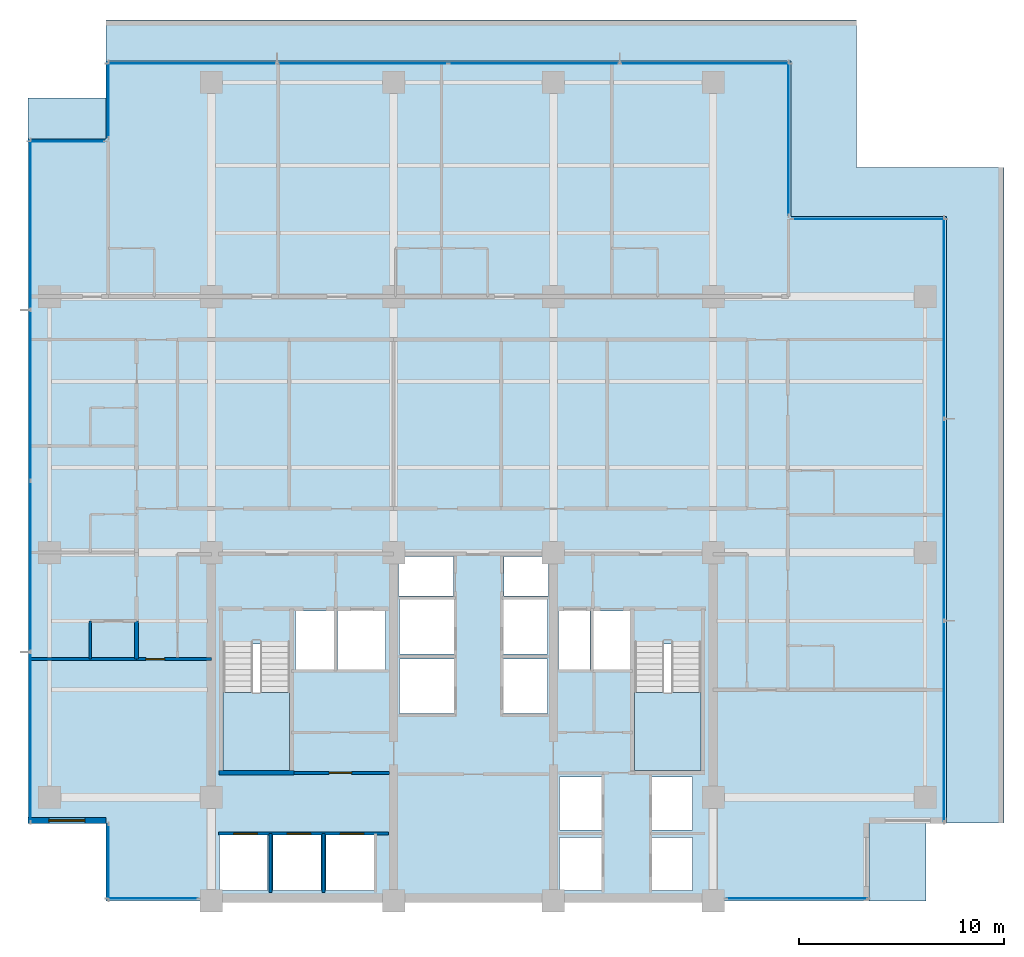
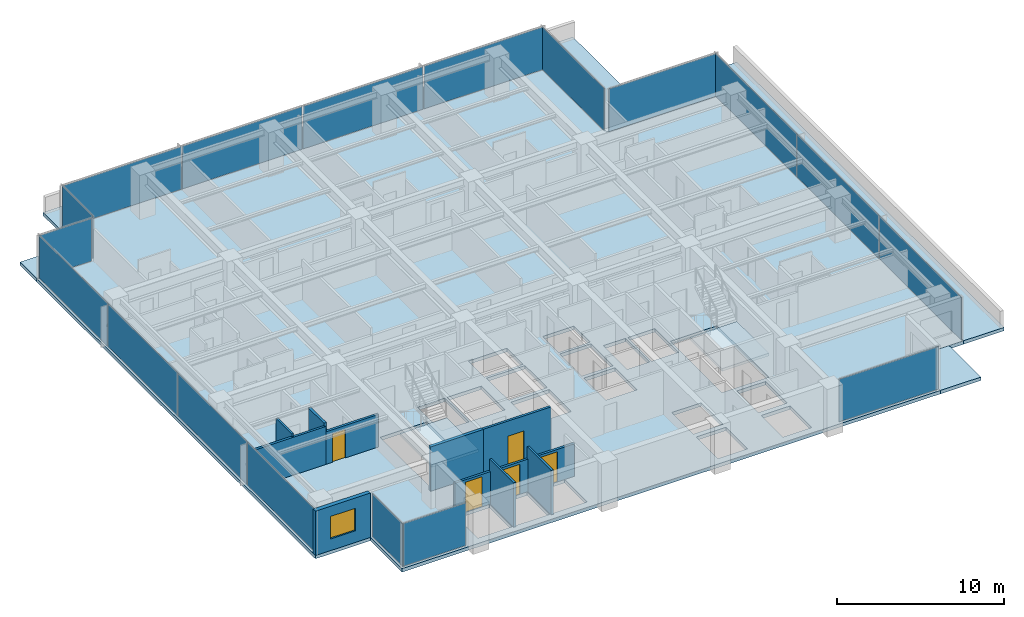
# One storey, part 6 of 16: 18 plates, 10 walls, 6 slabs, 5 doors, 1 window, 6 openings, 12 elements without a shape of their own.
"""IFC4 building model written with IfcOpenShell, lengths in metres."""

from ifc_helpers import new_model, si_unit, direction, frame, frame_2d, origin, origin_2d, place, context, subcontext, project, spatial, polyline, rectangle, outline, extrude, material, layer, layer_set, type_object, element, fill, aggregate, save


model = new_model("IFC4")

# Units and contexts
model_context = context("Model", 3, precision=1e-05, world=origin(), true_north=direction((0.0, 1.0)))
body_context = subcontext(model_context, "Body", "Model", "MODEL_VIEW")
ifc_project = project(units=[si_unit("LENGTHUNIT", "METRE"), si_unit("AREAUNIT", "SQUARE_METRE"), si_unit("VOLUMEUNIT", "CUBIC_METRE"), si_unit("PLANEANGLEUNIT", "RADIAN"), si_unit("MASSUNIT", "GRAM", prefix="KILO")], contexts=[model_context])

# Site, building, storey
site_placement = place(None, origin())
site = spatial("IfcSite", under=ifc_project, at=site_placement, CompositionType="ELEMENT")
building_placement = place(site_placement, origin())
building = spatial("IfcBuilding", under=site, at=building_placement, Name="Qalmaran Belvedere Hotel", CompositionType="ELEMENT")
storey_placement = place(building_placement, frame((0.0, 0.0, 138.60009765625)))
storey = spatial("IfcBuildingStorey", under=building, at=storey_placement, Name="L34", CompositionType="ELEMENT", Elevation=138.60009765625)

# Curtain wall, plate
ifc_material_1 = material(Name="Anodised Bronze Aluminium", Category="aluminium")
ifc_layer_1 = layer(ifc_material_1, 0.195068359375, Name="Anodised Bronze Aluminium")
ifc_layer_set_1 = layer_set([ifc_layer_1], Name="Anodised Bronze Aluminium")
curtain_wall_type = type_object("IfcCurtainWallType", Name="CW4-TOWER-HIGHMID", PredefinedType="NOTDEFINED", material=ifc_layer_set_1)
curtain_wall_1_placement = place(storey_placement, origin())
curtain_wall_1 = element("IfcCurtainWall", 1, at=curtain_wall_1_placement, inside=storey, type_object=curtain_wall_type, Name="L34 Curtain Wall CW4", PredefinedType="NOTDEFINED")
ifc_material_2 = material(Name="Solar-Control Double Glazing", Category="glass")
ifc_layer_2 = layer(ifc_material_2, 0.028076171875, Name="Solar-Control Double Glazing")
ifc_layer_set_2 = layer_set([ifc_layer_2], Name="Solar-Control Double Glazing")
plate_type = type_object("IfcPlateType", Name="CWP-VISION-28", PredefinedType="CURTAIN_PANEL", material=ifc_layer_set_2)
plate_1_placement = place(storey_placement, frame((17.429931640625, 3.6201171875, 0.06494140625), z_axis=(0.0, 0.0, 1.0), x_axis=(1.0, 0.0, 0.0)))
plate_1 = element("IfcPlate", 2, at=plate_1_placement, type_object=plate_type, Name="CW4 panel 1.1", PredefinedType="CURTAIN_PANEL", context=body_context, shape_type="SweptSolid", body=[
    extrude(rectangle(XDim=4.419921875, YDim=0.028076171875, at=origin_2d()), origin(), (0.0, 0.0, 1.0), 3.1201171875),
])
aggregate(curtain_wall_1, [plate_1])

curtain_wall_2_placement = place(storey_placement, origin())
curtain_wall_2 = element("IfcCurtainWall", 3, at=curtain_wall_2_placement, inside=storey, type_object=curtain_wall_type, Name="L34 Curtain Wall CW4", PredefinedType="NOTDEFINED")
plate_2_placement = place(storey_placement, frame((48.89501953125, 3.6201171875, 0.06494140625), z_axis=(0.0, 0.0, 1.0), x_axis=(1.0, 0.0, 0.0)))
plate_2 = element("IfcPlate", 4, at=plate_2_placement, type_object=plate_type, Name="CW4 panel 1.1", PredefinedType="CURTAIN_PANEL", context=body_context, shape_type="SweptSolid", body=[
    extrude(rectangle(XDim=6.8701171875, YDim=0.028076171875, at=origin_2d()), origin(), (0.0, 0.0, 1.0), 3.1201171875),
])
aggregate(curtain_wall_2, [plate_2])

# Curtain wall, plates
curtain_wall_3_placement = place(storey_placement, origin())
curtain_wall_3 = element("IfcCurtainWall", 5, at=curtain_wall_3_placement, inside=storey, type_object=curtain_wall_type, Name="L34 Curtain Wall CW4", PredefinedType="NOTDEFINED")
plate_3_placement = place(storey_placement, frame((56.080078125, 12.250732421875, 0.06494140625), z_axis=(0.0, 0.0, 1.0), x_axis=(0.0, 1.0, 0.0)))
plate_3 = element("IfcPlate", 6, at=plate_3_placement, type_object=plate_type, Name="CW4 panel 1.1", PredefinedType="CURTAIN_PANEL", context=body_context, shape_type="SweptSolid", body=[
    extrude(rectangle(XDim=9.76171875, YDim=0.028076171875, at=origin_2d()), origin(), (0.0, 0.0, 1.0), 3.1201171875),
])
plate_4_placement = place(storey_placement, frame((56.080078125, 22.10009765625, 0.06494140625), z_axis=(0.0, 0.0, 1.0), x_axis=(0.0, 1.0, 0.0)))
plate_4 = element("IfcPlate", 7, at=plate_4_placement, type_object=plate_type, Name="CW4 panel 2.1", PredefinedType="CURTAIN_PANEL", context=body_context, shape_type="SweptSolid", body=[
    extrude(rectangle(XDim=9.796630859375, YDim=0.028076171875, at=origin_2d()), origin(), (0.0, 0.0, 1.0), 3.1201171875),
])
plate_5_placement = place(storey_placement, frame((56.080078125, 31.94921875, 0.06494140625), z_axis=(0.0, 0.0, 1.0), x_axis=(0.0, 1.0, 0.0)))
plate_5 = element("IfcPlate", 8, at=plate_5_placement, type_object=plate_type, Name="CW4 panel 3.1", PredefinedType="CURTAIN_PANEL", context=body_context, shape_type="SweptSolid", body=[
    extrude(rectangle(XDim=9.76171875, YDim=0.028076171875, at=origin_2d()), origin(), (0.0, 0.0, 1.0), 3.1201171875),
])
aggregate(curtain_wall_3, [plate_3, plate_4, plate_5])

# Curtain wall, plate
curtain_wall_4_placement = place(storey_placement, origin())
curtain_wall_4 = element("IfcCurtainWall", 9, at=curtain_wall_4_placement, inside=storey, type_object=curtain_wall_type, Name="L34 Curtain Wall CW4", PredefinedType="NOTDEFINED")
plate_6_placement = place(storey_placement, frame((52.39990234375, 36.780029296875, 0.06494140625), z_axis=(0.0, 0.0, 1.0), x_axis=(-1.0, 0.0, 0.0)))
plate_6 = element("IfcPlate", 10, at=plate_6_placement, type_object=plate_type, Name="CW4 panel 1.1", PredefinedType="CURTAIN_PANEL", context=body_context, shape_type="SweptSolid", body=[
    extrude(rectangle(XDim=7.4599609375, YDim=0.028076171875, at=origin_2d()), origin(), (0.0, 0.0, 1.0), 3.1201171875),
])
aggregate(curtain_wall_4, [plate_6])

curtain_wall_5_placement = place(storey_placement, origin())
curtain_wall_5 = element("IfcCurtainWall", 11, at=curtain_wall_5_placement, inside=storey, type_object=curtain_wall_type, Name="L34 Curtain Wall CW4", PredefinedType="NOTDEFINED")
plate_7_placement = place(storey_placement, frame((48.47998046875, 40.699951171875, 0.06494140625), z_axis=(0.0, 0.0, 1.0), x_axis=(0.0, 1.0, 0.0)))
plate_7 = element("IfcPlate", 12, at=plate_7_placement, type_object=plate_type, Name="CW4 panel 1.1", PredefinedType="CURTAIN_PANEL", context=body_context, shape_type="SweptSolid", body=[
    extrude(rectangle(XDim=7.4599609375, YDim=0.028076171875, at=origin_2d()), origin(), (0.0, 0.0, 1.0), 3.1201171875),
])
aggregate(curtain_wall_5, [plate_7])

# Curtain wall, plates
curtain_wall_6_placement = place(storey_placement, origin())
curtain_wall_6 = element("IfcCurtainWall", 13, at=curtain_wall_6_placement, inside=storey, type_object=curtain_wall_type, Name="L34 Curtain Wall CW4", PredefinedType="NOTDEFINED")
plate_8_placement = place(storey_placement, frame((44.4013671875, 44.3798828125, 0.06494140625), z_axis=(0.0, 0.0, 1.0), x_axis=(-1.0, 0.0, 0.0)))
plate_8 = element("IfcPlate", 14, at=plate_8_placement, type_object=plate_type, Name="CW4 panel 1.1", PredefinedType="CURTAIN_PANEL", context=body_context, shape_type="SweptSolid", body=[
    extrude(rectangle(XDim=8.257568359375, YDim=0.028076171875, at=origin_2d()), origin(), (0.0, 0.0, 1.0), 3.1201171875),
])
plate_9_placement = place(storey_placement, frame((36.05615234375, 44.3798828125, 0.06494140625), z_axis=(0.0, 0.0, 1.0), x_axis=(-1.0, 0.0, 0.0)))
plate_9 = element("IfcPlate", 15, at=plate_9_placement, type_object=plate_type, Name="CW4 panel 2.1", PredefinedType="CURTAIN_PANEL", context=body_context, shape_type="SweptSolid", body=[
    extrude(rectangle(XDim=8.29248046875, YDim=0.028076171875, at=origin_2d()), origin(), (0.0, 0.0, 1.0), 3.1201171875),
])
plate_10_placement = place(storey_placement, frame((27.69384765625, 44.3798828125, 0.06494140625), z_axis=(0.0, 0.0, 1.0), x_axis=(-1.0, 0.0, 0.0)))
plate_10 = element("IfcPlate", 16, at=plate_10_placement, type_object=plate_type, Name="CW4 panel 3.1", PredefinedType="CURTAIN_PANEL", context=body_context, shape_type="SweptSolid", body=[
    extrude(rectangle(XDim=8.29248046875, YDim=0.028076171875, at=origin_2d()), origin(), (0.0, 0.0, 1.0), 3.1201171875),
])
plate_11_placement = place(storey_placement, frame((19.3486328125, 44.3798828125, 0.06494140625), z_axis=(0.0, 0.0, 1.0), x_axis=(-1.0, 0.0, 0.0)))
plate_11 = element("IfcPlate", 17, at=plate_11_placement, type_object=plate_type, Name="CW4 panel 4.1", PredefinedType="CURTAIN_PANEL", context=body_context, shape_type="SweptSolid", body=[
    extrude(rectangle(XDim=8.257568359375, YDim=0.028076171875, at=origin_2d()), origin(), (0.0, 0.0, 1.0), 3.1201171875),
])
aggregate(curtain_wall_6, [plate_8, plate_9, plate_10, plate_11])

# Curtain wall, plate
curtain_wall_7_placement = place(storey_placement, origin())
curtain_wall_7 = element("IfcCurtainWall", 18, at=curtain_wall_7_placement, inside=storey, type_object=curtain_wall_type, Name="L34 Curtain Wall CW4", PredefinedType="NOTDEFINED")
plate_12_placement = place(storey_placement, frame((15.27001953125, 42.60009765625, 0.06494140625), z_axis=(0.0, 0.0, 1.0), x_axis=(0.0, -1.0, 0.0)))
plate_12 = element("IfcPlate", 19, at=plate_12_placement, type_object=plate_type, Name="CW4 panel 1.1", PredefinedType="CURTAIN_PANEL", context=body_context, shape_type="SweptSolid", body=[
    extrude(rectangle(XDim=3.659912109375, YDim=0.028076171875, at=origin_2d()), origin(), (0.0, 0.0, 1.0), 3.1201171875),
])
aggregate(curtain_wall_7, [plate_12])

curtain_wall_8_placement = place(storey_placement, origin())
curtain_wall_8 = element("IfcCurtainWall", 20, at=curtain_wall_8_placement, inside=storey, type_object=curtain_wall_type, Name="L34 Curtain Wall CW4", PredefinedType="NOTDEFINED")
plate_13_placement = place(storey_placement, frame((13.25, 40.580078125, 0.06494140625), z_axis=(0.0, 0.0, 1.0), x_axis=(-1.0, 0.0, 0.0)))
plate_13 = element("IfcPlate", 21, at=plate_13_placement, type_object=plate_type, Name="CW4 panel 1.1", PredefinedType="CURTAIN_PANEL", context=body_context, shape_type="SweptSolid", body=[
    extrude(rectangle(XDim=3.659912109375, YDim=0.028076171875, at=origin_2d()), origin(), (0.0, 0.0, 1.0), 3.1201171875),
])
aggregate(curtain_wall_8, [plate_13])

# Curtain wall, plates
curtain_wall_9_placement = place(storey_placement, origin())
curtain_wall_9 = element("IfcCurtainWall", 22, at=curtain_wall_9_placement, inside=storey, type_object=curtain_wall_type, Name="L34 Curtain Wall CW4", PredefinedType="NOTDEFINED")
plate_14_placement = place(storey_placement, frame((11.469970703125, 36.507568359375, 0.06494140625), z_axis=(0.0, 0.0, 1.0), x_axis=(0.0, -1.0, 0.0)))
plate_14 = element("IfcPlate", 23, at=plate_14_placement, type_object=plate_type, Name="CW4 panel 1.1", PredefinedType="CURTAIN_PANEL", context=body_context, shape_type="SweptSolid", body=[
    extrude(rectangle(XDim=8.2451171875, YDim=0.028076171875, at=origin_2d()), origin(), (0.0, 0.0, 1.0), 3.1201171875),
])
plate_15_placement = place(storey_placement, frame((11.469970703125, 28.175048828125, 0.06494140625), z_axis=(0.0, 0.0, 1.0), x_axis=(0.0, -1.0, 0.0)))
plate_15 = element("IfcPlate", 24, at=plate_15_placement, type_object=plate_type, Name="CW4 panel 2.1", PredefinedType="CURTAIN_PANEL", context=body_context, shape_type="SweptSolid", body=[
    extrude(rectangle(XDim=8.280029296875, YDim=0.028076171875, at=origin_2d()), origin(), (0.0, 0.0, 1.0), 3.1201171875),
])
plate_16_placement = place(storey_placement, frame((11.469970703125, 19.824951171875, 0.06494140625), z_axis=(0.0, 0.0, 1.0), x_axis=(0.0, -1.0, 0.0)))
plate_16 = element("IfcPlate", 25, at=plate_16_placement, type_object=plate_type, Name="CW4 panel 3.1", PredefinedType="CURTAIN_PANEL", context=body_context, shape_type="SweptSolid", body=[
    extrude(rectangle(XDim=8.280029296875, YDim=0.028076171875, at=origin_2d()), origin(), (0.0, 0.0, 1.0), 3.1201171875),
])
plate_17_placement = place(storey_placement, frame((11.469970703125, 11.492431640625, 0.06494140625), z_axis=(0.0, 0.0, 1.0), x_axis=(0.0, -1.0, 0.0)))
plate_17 = element("IfcPlate", 26, at=plate_17_placement, type_object=plate_type, Name="CW4 panel 4.1", PredefinedType="CURTAIN_PANEL", context=body_context, shape_type="SweptSolid", body=[
    extrude(rectangle(XDim=8.2451171875, YDim=0.028076171875, at=origin_2d()), origin(), (0.0, 0.0, 1.0), 3.1201171875),
])
aggregate(curtain_wall_9, [plate_14, plate_15, plate_16, plate_17])

# Curtain wall, plate
curtain_wall_10_placement = place(storey_placement, origin())
curtain_wall_10 = element("IfcCurtainWall", 27, at=curtain_wall_10_placement, inside=storey, type_object=curtain_wall_type, Name="L34 Curtain Wall CW4", PredefinedType="NOTDEFINED")
plate_18_placement = place(storey_placement, frame((15.27001953125, 5.39990234375, 0.06494140625), z_axis=(0.0, 0.0, 1.0), x_axis=(0.0, -1.0, 0.0)))
plate_18 = element("IfcPlate", 28, at=plate_18_placement, type_object=plate_type, Name="CW4 panel 1.1", PredefinedType="CURTAIN_PANEL", context=body_context, shape_type="SweptSolid", body=[
    extrude(rectangle(XDim=3.659912109375, YDim=0.028076171875, at=origin_2d()), origin(), (0.0, 0.0, 1.0), 3.1201171875),
])
aggregate(curtain_wall_10, [plate_18])

# Slabs
ifc_material_3 = material(Name="Concrete C40/50", Category="concrete")
ifc_layer_3 = layer(ifc_material_3, 0.25, Name="Concrete C40/50")
ifc_layer_set_3 = layer_set([ifc_layer_3], Name="Concrete C40/50")
slab_type_1 = type_object("IfcSlabType", Name="SLB-SROOF-250", PredefinedType="ROOF", material=ifc_layer_set_3)
slab_1_placement = place(storey_placement, frame((0.0, 0.0, -0.25)))
element("IfcSlab", 29, at=slab_1_placement, inside=storey, type_object=slab_type_1, Name="L34 Stepped Roof Cap 1", PredefinedType="ROOF", context=body_context, shape_type="SweptSolid", body=[
    extrude(outline(polyline([(55.199951171875, 3.5), (52.39990234375, 3.5), (52.39990234375, 7.300048828125), (55.199951171875, 7.300048828125), (55.199951171875, 3.5)])), origin(), (0.0, 0.0, 1.0), 0.25),
])
slab_2_placement = place(storey_placement, frame((0.0, 0.0, -0.25)))
element("IfcSlab", 30, at=slab_2_placement, inside=storey, type_object=slab_type_1, Name="L34 Stepped Roof Cap 2", PredefinedType="ROOF", context=body_context, shape_type="SweptSolid", body=[
    extrude(outline(polyline([(15.14990234375, 46.5), (51.800048828125, 46.5), (51.800048828125, 39.300048828125), (59.0, 39.300048828125), (59.0, 7.300048828125), (56.199951171875, 7.300048828125), (56.199951171875, 36.89990234375), (48.60009765625, 36.89990234375), (48.60009765625, 44.5), (15.14990234375, 44.5), (15.14990234375, 46.5)])), origin(), (0.0, 0.0, 1.0), 0.25),
])
slab_3_placement = place(storey_placement, frame((0.0, 0.0, -0.25)))
element("IfcSlab", 31, at=slab_3_placement, inside=storey, type_object=slab_type_1, Name="L34 Stepped Roof Cap 3", PredefinedType="ROOF", context=body_context, shape_type="SweptSolid", body=[
    extrude(outline(polyline([(11.35009765625, 42.699951171875), (15.14990234375, 42.699951171875), (15.14990234375, 40.699951171875), (11.35009765625, 40.699951171875), (11.35009765625, 42.699951171875)])), origin(), (0.0, 0.0, 1.0), 0.25),
])

# Stair, slab
stair_type_1 = type_object("IfcStairType", Name="STR-ST-1-1450-R1750", PredefinedType="HALF_TURN_STAIR", material=ifc_material_3)
stair_1_placement = place(storey_placement, origin())
stair_1 = element("IfcStair", 32, at=stair_1_placement, inside=storey, type_object=stair_type_1, Name="L34 West Core Exit Stair ST-1", PredefinedType="HALF_TURN_STAIR")
ifc_layer_4 = layer(ifc_material_3, 0.199951171875, Name="Concrete C40/50")
ifc_layer_set_4 = layer_set([ifc_layer_4], Name="Concrete C40/50")
slab_type_2 = type_object("IfcSlabType", Name="SLB-STAIR-LANDING-200", PredefinedType="LANDING", material=ifc_layer_set_4)
slab_4_placement = place(storey_placement, frame((0.0, 0.0, 1.5498046875)))
slab_4 = element("IfcSlab", 33, at=slab_4_placement, type_object=slab_type_2, Name="ST-1 landing 1", PredefinedType="LANDING", context=body_context, shape_type="SweptSolid", body=[
    extrude(outline(polyline([(20.8798828125, 13.669921875), (20.8798828125, 9.85009765625), (24.1201171875, 9.85009765625), (24.1201171875, 13.669921875), (20.8798828125, 13.669921875)])), origin(), (0.0, 0.0, 1.0), 0.2001953125),
])
aggregate(stair_1, [slab_4])

stair_type_2 = type_object("IfcStairType", Name="STR-ST-2-1450-R1750", PredefinedType="HALF_TURN_STAIR", material=ifc_material_3)
stair_2_placement = place(storey_placement, origin())
stair_2 = element("IfcStair", 34, at=stair_2_placement, inside=storey, type_object=stair_type_2, Name="L34 East Core Exit Stair ST-2", PredefinedType="HALF_TURN_STAIR")
slab_5_placement = place(storey_placement, frame((0.0, 0.0, 1.5498046875)))
slab_5 = element("IfcSlab", 35, at=slab_5_placement, type_object=slab_type_2, Name="ST-2 landing 1", PredefinedType="LANDING", context=body_context, shape_type="SweptSolid", body=[
    extrude(outline(polyline([(40.9599609375, 13.669921875), (40.9599609375, 9.85009765625), (44.199951171875, 9.85009765625), (44.199951171875, 13.669921875), (40.9599609375, 13.669921875)])), origin(), (0.0, 0.0, 1.0), 0.2001953125),
])
aggregate(stair_2, [slab_5])

# Slab
ifc_layer_5 = layer(ifc_material_3, 0.25, Name="Concrete C40/50")
ifc_layer_set_5 = layer_set([ifc_layer_5], Name="Concrete C40/50")
slab_type_3 = type_object("IfcSlabType", Name="SLB-Z3-250", PredefinedType="FLOOR", material=ifc_layer_set_5)
slab_6_placement = place(storey_placement, frame((0.0, 0.0, -0.25)))
element("IfcSlab", 36, at=slab_6_placement, inside=storey, type_object=slab_type_3, Name="L34 Structural Floor Slab", PredefinedType="FLOOR", context=body_context, shape_type="SweptSolid", body=[
    extrude(outline(polyline([(15.14990234375, 3.5), (52.39990234375, 3.5), (52.39990234375, 7.300048828125), (56.199951171875, 7.300048828125), (56.199951171875, 36.89990234375), (48.60009765625, 36.89990234375), (48.60009765625, 44.5), (15.14990234375, 44.5), (15.14990234375, 40.699951171875), (11.35009765625, 40.699951171875), (11.35009765625, 7.300048828125), (15.14990234375, 7.300048828125), (15.14990234375, 3.5)]), holes=[polyline([(20.8798828125, 9.85009765625), (24.1201171875, 9.85009765625), (24.1201171875, 16.0400390625), (20.8798828125, 16.0400390625), (20.8798828125, 9.85009765625)]), polyline([(40.9599609375, 9.85009765625), (44.199951171875, 9.85009765625), (44.199951171875, 16.0400390625), (40.9599609375, 16.0400390625), (40.9599609375, 9.85009765625)]), polyline([(29.4951171875, 12.64990234375), (32.14990234375, 12.64990234375), (32.14990234375, 15.300048828125), (29.4951171875, 15.300048828125), (29.4951171875, 12.64990234375)]), polyline([(29.4951171875, 15.550048828125), (32.14990234375, 15.550048828125), (32.14990234375, 18.199951171875), (29.4951171875, 18.199951171875), (29.4951171875, 15.550048828125)]), polyline([(34.550048828125, 12.64990234375), (36.705078125, 12.64990234375), (36.705078125, 15.300048828125), (34.550048828125, 15.300048828125), (34.550048828125, 12.64990234375)]), polyline([(34.550048828125, 15.550048828125), (36.705078125, 15.550048828125), (36.705078125, 18.199951171875), (34.550048828125, 18.199951171875), (34.550048828125, 15.550048828125)]), polyline([(37.300048828125, 4.0), (39.35009765625, 4.0), (39.35009765625, 6.60009765625), (37.300048828125, 6.60009765625), (37.300048828125, 4.0)]), polyline([(37.300048828125, 6.949951171875), (39.35009765625, 6.949951171875), (39.35009765625, 9.550048828125), (37.300048828125, 9.550048828125), (37.300048828125, 6.949951171875)]), polyline([(41.800048828125, 4.0), (43.800048828125, 4.0), (43.800048828125, 6.60009765625), (41.800048828125, 6.60009765625), (41.800048828125, 4.0)]), polyline([(41.800048828125, 6.949951171875), (43.800048828125, 6.949951171875), (43.800048828125, 9.550048828125), (41.800048828125, 9.550048828125), (41.800048828125, 6.949951171875)]), polyline([(20.699951171875, 4.0), (23.050048828125, 4.0), (23.050048828125, 6.699951171875), (20.699951171875, 6.699951171875), (20.699951171875, 4.0)]), polyline([(23.300048828125, 4.0), (25.64990234375, 4.0), (25.64990234375, 6.699951171875), (23.300048828125, 6.699951171875), (23.300048828125, 4.0)]), polyline([(25.89990234375, 4.0), (28.25, 4.0), (28.25, 6.699951171875), (25.89990234375, 6.699951171875), (25.89990234375, 4.0)]), polyline([(24.39990234375, 14.800048828125), (26.300048828125, 14.800048828125), (26.300048828125, 17.64990234375), (24.39990234375, 17.64990234375), (24.39990234375, 14.800048828125)]), polyline([(38.949951171875, 14.800048828125), (40.820068359375, 14.800048828125), (40.820068359375, 17.64990234375), (38.949951171875, 17.64990234375), (38.949951171875, 14.800048828125)]), polyline([(26.449951171875, 14.800048828125), (28.800048828125, 14.800048828125), (28.800048828125, 17.64990234375), (26.449951171875, 17.64990234375), (26.449951171875, 14.800048828125)]), polyline([(37.25, 14.800048828125), (38.800048828125, 14.800048828125), (38.800048828125, 17.64990234375), (37.25, 17.64990234375), (37.25, 14.800048828125)]), polyline([(29.445068359375, 18.3798828125), (32.1201171875, 18.3798828125), (32.1201171875, 20.300048828125), (29.445068359375, 20.300048828125), (29.445068359375, 18.3798828125)]), polyline([(34.580078125, 18.3798828125), (36.7548828125, 18.3798828125), (36.7548828125, 20.300048828125), (34.580078125, 20.300048828125), (34.580078125, 18.3798828125)])]), origin(), (0.0, 0.0, 1.0), 0.25),
])

# Wall, opening, window
ifc_material_4 = material(Name="Anodised Bronze Cladding")
ifc_layer_6 = layer(ifc_material_4, 0.280029296875, Name="Anodised Bronze Cladding")
ifc_layer_set_6 = layer_set([ifc_layer_6], Name="Anodised Bronze Cladding")
wall_type_1 = type_object("IfcWallType", Name="WL-EXT-BRNZ-280", PredefinedType="SOLIDWALL", material=ifc_layer_set_6)
wall_1_placement = place(storey_placement, frame((11.35009765625, 7.419921875, 0.0), z_axis=(0.0, 0.0, 1.0), x_axis=(1.0, 0.0, 0.0)))
wall_1 = element("IfcWall", 37, at=wall_1_placement, inside=storey, type_object=wall_type_1, Name="L34 Corner Notch Wall 10", PredefinedType="SOLIDWALL", context=body_context, shape_type="SweptSolid", body=[
    extrude(rectangle(XDim=3.7998046875, YDim=0.280029296875, at=frame_2d((1.89990234375, 0.0))), origin(), (0.0, 0.0, 1.0), 3.25),
])
opening_1_placement = place(wall_1_placement, frame((1.02490234375, 0.0, 0.85009765625)))
opening_1 = element("IfcOpeningElement", 38, at=opening_1_placement, cuts=wall_1, Name="Opening W-N17", PredefinedType="OPENING", context=body_context, shape_type="SweptSolid", body=[
    extrude(rectangle(XDim=1.75, YDim=1.64990234375, at=frame_2d((0.875, 0.824951171875))), frame((0.0, 0.14990234375, 0.0), z_axis=(0.0, -1.0, 0.0), x_axis=(1.0, 0.0, 0.0)), (0.0, 0.0, 1.0), 0.300048828125),
])
window_type = type_object("IfcWindowType", Name="WN-NTC-1750X1650", PartitioningType="SINGLE_PANEL", PredefinedType="WINDOW", material=ifc_material_2)
window_placement = place(opening_1_placement, origin())
window = element("IfcWindow", 39, at=window_placement, inside=storey, type_object=window_type, Name="L34 Corner Notch Window 10", OverallHeight=1.64990234375, OverallWidth=1.75, PartitioningType="SINGLE_PANEL", PredefinedType="WINDOW", context=body_context, shape_type="SweptSolid", body=[
    extrude(rectangle(XDim=1.75, YDim=1.64990234375, at=frame_2d((0.875, 0.824951171875))), frame((0.0, 0.030029296875, 0.0), z_axis=(0.0, -1.0, 0.0), x_axis=(1.0, 0.0, 0.0)), (0.0, 0.0, 1.0), 0.06005859375),
])
fill(opening_1, window)

# Walls
ifc_material_5 = material(Name="Moisture-Resistant Gypsum")
ifc_layer_7 = layer(ifc_material_5, 0.1201171875, Name="Moisture-Resistant Gypsum")
ifc_layer_set_7 = layer_set([ifc_layer_7], Name="Moisture-Resistant Gypsum")
wall_type_2 = type_object("IfcWallType", Name="WL-INT-120-BATH", PredefinedType="PARTITIONING", material=ifc_layer_set_7)
wall_2_placement = place(storey_placement, frame((14.39990234375, 15.300048828125, 0.0), z_axis=(0.0, 0.0, 1.0), x_axis=(0.0, 1.0, 0.0)))
element("IfcWall", 40, at=wall_2_placement, inside=storey, type_object=wall_type_2, Name="L34 Partition WL-L34-WBS00", PredefinedType="PARTITIONING", context=body_context, shape_type="SweptSolid", body=[
    extrude(rectangle(XDim=1.869873046875, YDim=0.1201171875, at=frame_2d((0.93505859375, 0.0))), origin(), (0.0, 0.0, 1.0), 2.98779296875),
])
ifc_material_6 = material(Name="Gypsum Stud Partition")
ifc_layer_8 = layer(ifc_material_6, 0.14990234375, Name="Gypsum Stud Partition")
ifc_layer_set_8 = layer_set([ifc_layer_8], Name="Gypsum Stud Partition")
wall_type_3 = type_object("IfcWallType", Name="WL-INT-150-EI120", PredefinedType="PARTITIONING", material=ifc_layer_set_8)
for number, where, z_axis, x_axis, name in (
    (41, (23.179931640625, 3.89990234375, 0.0), (0.0, 0.0, 1.0), (0.0, 1.0, 0.0), "L34 Partition WL-POM1-L34"),
    (42, (25.780029296875, 3.89990234375, 0.0), (0.0, 0.0, 1.0), (0.0, 1.0, 0.0), "L34 Partition WL-POM2-L34"),
):
    element("IfcWall", number, at=place(storey_placement, frame(where, z_axis=z_axis, x_axis=x_axis)), inside=storey, type_object=wall_type_3, Name=name, PredefinedType="PARTITIONING", context=body_context, shape_type="SweptSolid", body=[
        extrude(rectangle(XDim=2.880126953125, YDim=0.14990234375, at=frame_2d((1.43994140625, 0.0))), origin(), (0.0, 0.0, 1.0), 3.25),
    ])

# Wall, openings, doors
ifc_layer_9 = layer(ifc_material_6, 0.159912109375, Name="Gypsum Stud Partition")
ifc_layer_set_9 = layer_set([ifc_layer_9], Name="Gypsum Stud Partition")
wall_type_4 = type_object("IfcWallType", Name="WL-INT-160-EI120", PredefinedType="PARTITIONING", material=ifc_layer_set_9)
wall_3_placement = place(storey_placement, frame((20.64990234375, 6.780029296875, 0.0), z_axis=(0.0, 0.0, 1.0), x_axis=(1.0, 0.0, 0.0)))
wall_3 = element("IfcWall", 43, at=wall_3_placement, inside=storey, type_object=wall_type_4, Name="L34 Partition WL-POS-L34", PredefinedType="PARTITIONING", context=body_context, shape_type="SweptSolid", body=[
    extrude(rectangle(XDim=8.300048828125, YDim=0.159912109375, at=frame_2d((4.14990234375, 0.0))), origin(), (0.0, 0.0, 1.0), 2.3798828125),
])
opening_2_placement = place(wall_3_placement, frame((0.75, 0.0, 0.0)))
opening_2 = element("IfcOpeningElement", 44, at=opening_2_placement, cuts=wall_3, Name="Opening LD-PO", PredefinedType="OPENING", context=body_context, shape_type="SweptSolid", body=[
    extrude(rectangle(XDim=1.14990234375, YDim=2.199951171875, at=frame_2d((0.574951171875, 1.10009765625))), frame((0.0, 0.08984375, 0.0), z_axis=(0.0, -1.0, 0.0), x_axis=(1.0, 0.0, 0.0)), (0.0, 0.0, 1.0), 0.179931640625),
])
opening_3_placement = place(wall_3_placement, frame((3.35009765625, 0.0, 0.0)))
opening_3 = element("IfcOpeningElement", 45, at=opening_3_placement, cuts=wall_3, Name="Opening LD-PO", PredefinedType="OPENING", context=body_context, shape_type="SweptSolid", body=[
    extrude(rectangle(XDim=1.14990234375, YDim=2.199951171875, at=frame_2d((0.574951171875, 1.10009765625))), frame((0.0, 0.08984375, 0.0), z_axis=(0.0, -1.0, 0.0), x_axis=(1.0, 0.0, 0.0)), (0.0, 0.0, 1.0), 0.179931640625),
])
opening_4_placement = place(wall_3_placement, frame((5.949951171875, 0.0, 0.0)))
opening_4 = element("IfcOpeningElement", 46, at=opening_4_placement, cuts=wall_3, Name="Opening LD-PO", PredefinedType="OPENING", context=body_context, shape_type="SweptSolid", body=[
    extrude(rectangle(XDim=1.14990234375, YDim=2.199951171875, at=frame_2d((0.574951171875, 1.10009765625))), frame((0.0, 0.08984375, 0.0), z_axis=(0.0, -1.0, 0.0), x_axis=(1.0, 0.0, 0.0)), (0.0, 0.0, 1.0), 0.179931640625),
])
door_type_1 = type_object("IfcDoorType", Name="DR-LIFT-PO-1150X2200", OperationType="DOUBLE_DOOR_SLIDING", PredefinedType="DOOR", material=ifc_material_1)
door_1_placement = place(opening_2_placement, origin())
door_1 = element("IfcDoor", 47, at=door_1_placement, inside=storey, type_object=door_type_1, Name="L34 PO1 Shuttle Landing Door", OperationType="DOUBLE_DOOR_SLIDING", OverallHeight=2.199951171875, OverallWidth=1.14990234375, PredefinedType="DOOR", context=body_context, shape_type="SweptSolid", body=[
    extrude(rectangle(XDim=1.14990234375, YDim=2.199951171875, at=frame_2d((0.574951171875, 1.10009765625))), frame((0.0, 0.02490234375, 0.0), z_axis=(0.0, -1.0, 0.0), x_axis=(1.0, 0.0, 0.0)), (0.0, 0.0, 1.0), 0.050048828125),
])
fill(opening_2, door_1)
door_2_placement = place(opening_3_placement, origin())
door_2 = element("IfcDoor", 48, at=door_2_placement, inside=storey, type_object=door_type_1, Name="L34 PO2 Shuttle Landing Door", OperationType="DOUBLE_DOOR_SLIDING", OverallHeight=2.199951171875, OverallWidth=1.14990234375, PredefinedType="DOOR", context=body_context, shape_type="SweptSolid", body=[
    extrude(rectangle(XDim=1.14990234375, YDim=2.199951171875, at=frame_2d((0.574951171875, 1.10009765625))), frame((0.0, 0.02490234375, 0.0), z_axis=(0.0, -1.0, 0.0), x_axis=(1.0, 0.0, 0.0)), (0.0, 0.0, 1.0), 0.050048828125),
])
fill(opening_3, door_2)
door_3_placement = place(opening_4_placement, origin())
door_3 = element("IfcDoor", 49, at=door_3_placement, inside=storey, type_object=door_type_1, Name="L34 PO3 Shuttle Landing Door", OperationType="DOUBLE_DOOR_SLIDING", OverallHeight=2.199951171875, OverallWidth=1.14990234375, PredefinedType="DOOR", context=body_context, shape_type="SweptSolid", body=[
    extrude(rectangle(XDim=1.14990234375, YDim=2.199951171875, at=frame_2d((0.574951171875, 1.10009765625))), frame((0.0, 0.02490234375, 0.0), z_axis=(0.0, -1.0, 0.0), x_axis=(1.0, 0.0, 0.0)), (0.0, 0.0, 1.0), 0.050048828125),
])
fill(opening_4, door_3)

# Wall, opening, door
wall_4_placement = place(storey_placement, frame((24.199951171875, 9.739990234375, 0.0), z_axis=(0.0, 0.0, 1.0), x_axis=(1.0, 0.0, 0.0)))
wall_4 = element("IfcWall", 50, at=wall_4_placement, inside=storey, type_object=wall_type_4, Name="L34 Partition WL-PON-L34", PredefinedType="PARTITIONING", context=body_context, shape_type="SweptSolid", body=[
    extrude(rectangle(XDim=4.800048828125, YDim=0.159912109375, at=frame_2d((2.39990234375, 0.0))), origin(), (0.0, 0.0, 1.0), 3.25),
])
opening_5_placement = place(wall_4_placement, frame((1.85009765625, 0.0, 0.0)))
opening_5 = element("IfcOpeningElement", 51, at=opening_5_placement, cuts=wall_4, Name="Opening FD90", PredefinedType="OPENING", context=body_context, shape_type="SweptSolid", body=[
    extrude(rectangle(XDim=1.10009765625, YDim=2.14990234375, at=frame_2d((0.550048828125, 1.074951171875))), frame((0.0, 0.08984375, 0.0), z_axis=(0.0, -1.0, 0.0), x_axis=(1.0, 0.0, 0.0)), (0.0, 0.0, 1.0), 0.179931640625),
])
ifc_material_7 = material(Name="Steel S355JR", Category="steel")
door_type_2 = type_object("IfcDoorType", Name="DR-FD90-1100X2150", OperationType="NOTDEFINED", PredefinedType="DOOR", material=ifc_material_7)
door_4_placement = place(opening_5_placement, origin())
door_4 = element("IfcDoor", 52, at=door_4_placement, inside=storey, type_object=door_type_2, Name="L34 Shuttle Lobby Passage Door", OperationType="SINGLE_SWING_RIGHT", OverallHeight=2.14990234375, OverallWidth=1.10009765625, PredefinedType="DOOR", context=body_context, shape_type="SweptSolid", body=[
    extrude(rectangle(XDim=1.10009765625, YDim=2.14990234375, at=frame_2d((0.550048828125, 1.074951171875))), frame((0.0, 0.02490234375, 0.0), z_axis=(0.0, -1.0, 0.0), x_axis=(1.0, 0.0, 0.0)), (0.0, 0.0, 1.0), 0.050048828125),
])
fill(opening_5, door_4)

ifc_layer_10 = layer(ifc_material_6, 0.159912109375, Name="Gypsum Stud Partition")
ifc_layer_set_10 = layer_set([ifc_layer_10], Name="Gypsum Stud Partition")
wall_type_5 = type_object("IfcWallType", Name="WL-INT-160-EI60", PredefinedType="PARTITIONING", material=ifc_layer_set_10)
wall_5_placement = place(storey_placement, frame((16.64990234375, 15.300048828125, 0.0), z_axis=(0.0, 0.0, 1.0), x_axis=(1.0, 0.0, 0.0)))
wall_5 = element("IfcWall", 53, at=wall_5_placement, inside=storey, type_object=wall_type_5, Name="L34 Partition WL-L34-SWRL", PredefinedType="PARTITIONING", context=body_context, shape_type="SweptSolid", body=[
    extrude(rectangle(XDim=3.650146484375, YDim=0.159912109375, at=frame_2d((1.8251953125, 0.0))), origin(), (0.0, 0.0, 1.0), 2.3798828125),
])
opening_6_placement = place(wall_5_placement, frame((1.369873046875, 0.0, 0.0), z_axis=(0.0, 0.0, 1.0), x_axis=(-1.0, 0.0, 0.0)))
opening_6 = element("IfcOpeningElement", 54, at=opening_6_placement, cuts=wall_5, Name="Opening FD60S1", PredefinedType="OPENING", context=body_context, shape_type="SweptSolid", body=[
    extrude(rectangle(XDim=0.919921875, YDim=2.080078125, at=frame_2d((0.4599609375, 1.0400390625))), frame((0.0, 0.08984375, 0.0), z_axis=(0.0, -1.0, 0.0), x_axis=(1.0, 0.0, 0.0)), (0.0, 0.0, 1.0), 0.179931640625),
])
ifc_material_8 = material(Name="Engineered Oak Veneer")
door_type_3 = type_object("IfcDoorType", Name="DR-FD60S-920X2080", OperationType="NOTDEFINED", PredefinedType="DOOR", material=ifc_material_8)
door_5_placement = place(opening_6_placement, origin())
door_5 = element("IfcDoor", 55, at=door_5_placement, inside=storey, type_object=door_type_3, Name="L34 SW Lounge Door", OperationType="SINGLE_SWING_LEFT", OverallHeight=2.080078125, OverallWidth=0.919921875, PredefinedType="DOOR", context=body_context, shape_type="SweptSolid", body=[
    extrude(rectangle(XDim=0.919921875, YDim=2.080078125, at=frame_2d((0.4599609375, 1.0400390625))), frame((0.0, 0.02490234375, 0.0), z_axis=(0.0, -1.0, 0.0), x_axis=(1.0, 0.0, 0.0)), (0.0, 0.0, 1.0), 0.050048828125),
])
fill(opening_6, door_5)

# Walls
wall_6_placement = place(storey_placement, frame((11.469970703125, 15.300048828125, 0.0), z_axis=(0.0, 0.0, 1.0), x_axis=(1.0, 0.0, 0.0)))
element("IfcWall", 56, at=wall_6_placement, inside=storey, type_object=wall_type_5, Name="L34 Partition WL-L34-WBOT", PredefinedType="PARTITIONING", context=body_context, shape_type="SweptSolid", body=[
    extrude(rectangle(XDim=5.179931640625, YDim=0.159912109375, at=frame_2d((2.58984375, 0.0))), origin(), (0.0, 0.0, 1.0), 2.77197265625),
])
ifc_layer_11 = layer(ifc_material_6, 0.179931640625, Name="Gypsum Stud Partition")
ifc_layer_set_11 = layer_set([ifc_layer_11], Name="Gypsum Stud Partition")
wall_type_6 = type_object("IfcWallType", Name="WL-INT-180-EI60", PredefinedType="PARTITIONING", material=ifc_layer_set_11)
wall_7_placement = place(storey_placement, frame((16.64990234375, 15.300048828125, 0.0), z_axis=(0.0, 0.0, 1.0), x_axis=(0.0, 1.0, 0.0)))
element("IfcWall", 57, at=wall_7_placement, inside=storey, type_object=wall_type_6, Name="L34 Partition WL-L34-WBC00", PredefinedType="PARTITIONING", context=body_context, shape_type="SweptSolid", body=[
    extrude(rectangle(XDim=1.869873046875, YDim=0.179931640625, at=frame_2d((0.93505859375, 0.0))), origin(), (0.0, 0.0, 1.0), 2.98779296875),
])
ifc_material_9 = material(Name="Concrete C50/60", Category="concrete")
ifc_layer_12 = layer(ifc_material_9, 0.2099609375, Name="Concrete C50/60")
ifc_layer_set_12 = layer_set([ifc_layer_12], Name="Concrete C50/60")
wall_type_7 = type_object("IfcWallType", Name="WL-STAIR-210-C50", PredefinedType="SHEAR", material=ifc_layer_set_12)
wall_8_placement = place(storey_placement, frame((20.669921875, 9.7451171875, 0.0), z_axis=(0.0, 0.0, 1.0), x_axis=(1.0, 0.0, 0.0)))
element("IfcWall", 58, at=wall_8_placement, inside=storey, type_object=wall_type_7, Name="L34 Stair ST-1 South Bearing Wall", PredefinedType="SHEAR", context=body_context, shape_type="SweptSolid", body=[
    extrude(rectangle(XDim=3.66015625, YDim=0.2099609375, at=frame_2d((1.830078125, 0.0))), origin(), (0.0, 0.0, 1.0), 3.25),
])

save(model, "model.ifc")
